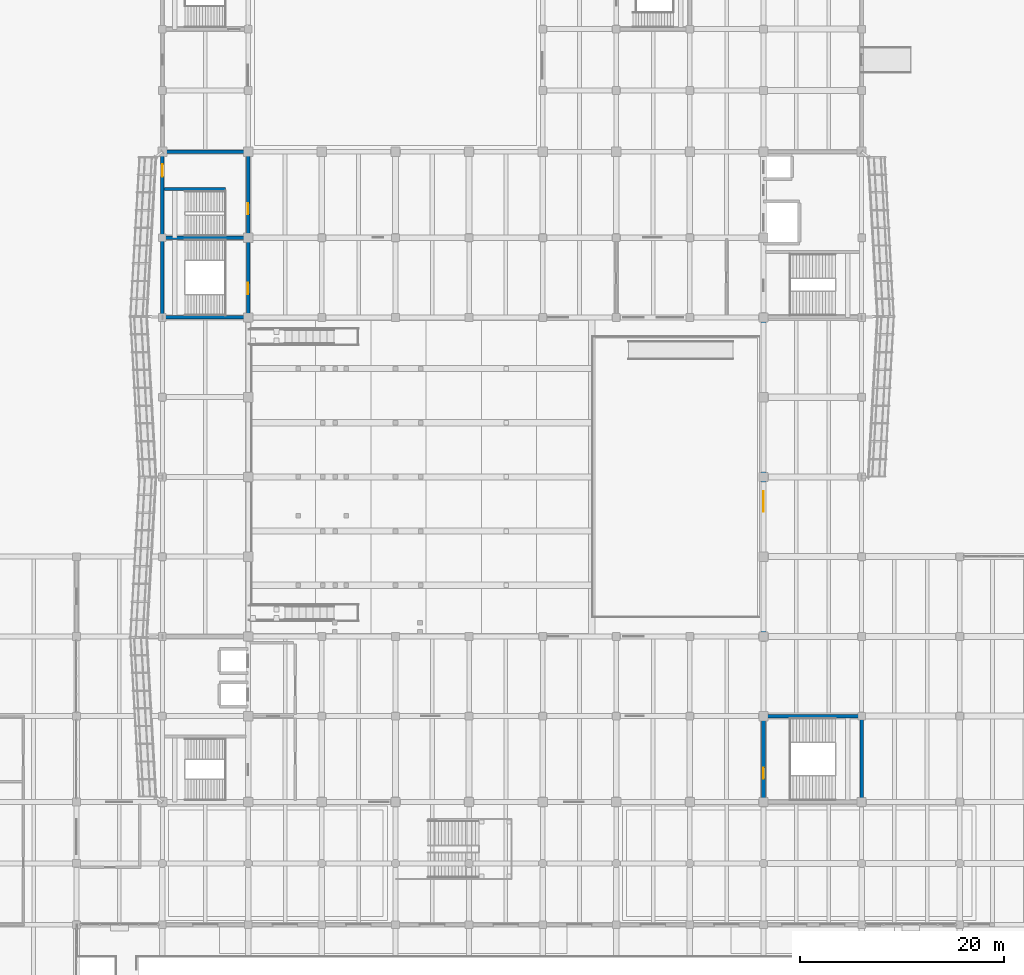
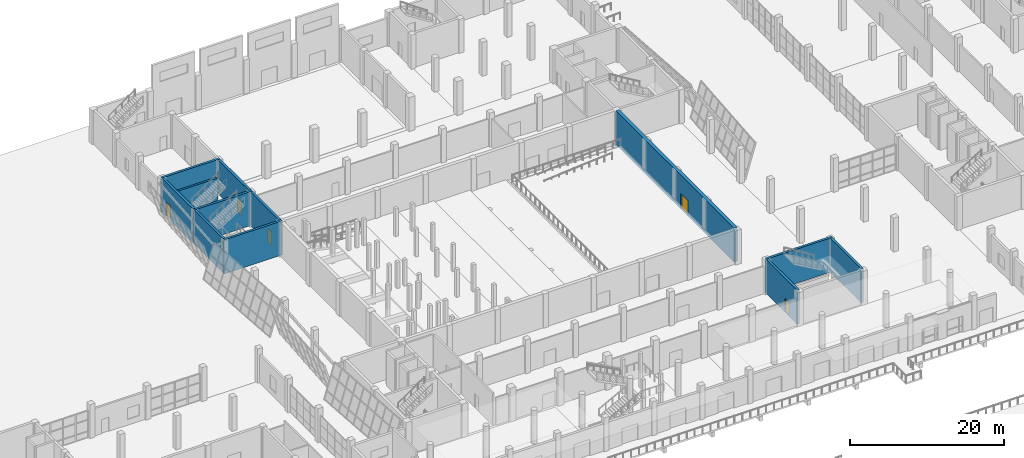
# One storey, part 63 of 78: 12 walls, 5 doors, 5 openings.
"""IFC4 building model written with IfcOpenShell, lengths in metres."""

from ifc_helpers import new_model, si_unit, direction, frame, frame_2d, origin, place, context, subcontext, project, spatial, rectangle, extrude, material, layer, layer_set, type_object, element, fill, save


model = new_model("IFC4")

# Units and contexts
model_context = context("Model", 3, precision=1e-05, world=origin(), true_north=direction((0.0, 1.0)))
body_context = subcontext(model_context, "Body", "Model", "MODEL_VIEW")
ifc_project = project(units=[si_unit("LENGTHUNIT", "METRE"), si_unit("AREAUNIT", "SQUARE_METRE"), si_unit("VOLUMEUNIT", "CUBIC_METRE"), si_unit("PLANEANGLEUNIT", "RADIAN"), si_unit("MASSUNIT", "GRAM", prefix="KILO")], contexts=[model_context])

# Site, building, storey
site_placement = place(None, origin())
site = spatial("IfcSite", under=ifc_project, at=site_placement, CompositionType="ELEMENT")
building_placement = place(site_placement, origin())
building = spatial("IfcBuilding", under=site, at=building_placement, Name="Pellamere Symphony Hall", CompositionType="ELEMENT")
storey_placement = place(building_placement, origin())
storey = spatial("IfcBuildingStorey", under=building, at=storey_placement, Name="L00", CompositionType="ELEMENT", Elevation=0.0)

# Walls
ifc_material_1 = material(Name="Concrete 40 MPa", Category="concrete")
ifc_layer_1 = layer(ifc_material_1, 0.35009765625, Name="Concrete 40 MPa")
ifc_layer_set_1 = layer_set([ifc_layer_1], Name="Concrete 40 MPa")
wall_type_1 = type_object("IfcWallType", Name="Structural Wall SW-03 350mm", PredefinedType="SHEAR", material=ifc_layer_set_1)
for number, where, z_axis, x_axis, name in (
    (1, (50.22509765625, 77.39990234375, 0.0), (0.0, 0.0, 1.0), (1.0, 0.0, 0.0), "Stair ST07 Enclosure Wall S (L00)"),
    (2, (50.22509765625, 85.199951171875, 0.0), (0.0, 0.0, 1.0), (1.0, 0.0, 0.0), "Stair ST07 Enclosure Wall N (L00)"),
):
    element("IfcWall", number, at=place(storey_placement, frame(where, z_axis=z_axis, x_axis=x_axis)), inside=storey, type_object=wall_type_1, Name=name, PredefinedType="SHEAR", context=body_context, shape_type="SweptSolid", body=[
        extrude(rectangle(XDim=8.75, YDim=0.35009765625, at=frame_2d((4.375, 0.0))), origin(), (0.0, 0.0, 1.0), 5.39990234375),
    ])
wall_1_placement = place(storey_placement, frame((50.39990234375, 77.574951171875, 0.0), z_axis=(0.0, 0.0, 1.0), x_axis=(0.0, 1.0, 0.0)))
element("IfcWall", 3, at=wall_1_placement, inside=storey, type_object=wall_type_1, Name="Stair ST07 Enclosure Wall W (L00)", PredefinedType="SHEAR", context=body_context, shape_type="SweptSolid", body=[
    extrude(rectangle(XDim=7.449951171875, YDim=0.35009765625, at=frame_2d((3.72509765625, 0.0))), origin(), (0.0, 0.0, 1.0), 5.39990234375),
])

# Wall, opening, door
wall_2_placement = place(storey_placement, frame((58.800048828125, 77.574951171875, 0.0), z_axis=(0.0, 0.0, 1.0), x_axis=(0.0, 1.0, 0.0)))
wall_2 = element("IfcWall", 4, at=wall_2_placement, inside=storey, type_object=wall_type_1, Name="Stair ST07 Enclosure Wall E (L00)", PredefinedType="SHEAR", context=body_context, shape_type="SweptSolid", body=[
    extrude(rectangle(XDim=7.449951171875, YDim=0.35009765625, at=frame_2d((3.72509765625, 0.0))), origin(), (0.0, 0.0, 1.0), 5.39990234375),
])
opening_1_placement = place(wall_2_placement, frame((2.10009765625, 0.0, 0.0)))
opening_1 = element("IfcOpeningElement", 5, at=opening_1_placement, cuts=wall_2, Name="Opening SD-38", PredefinedType="OPENING", context=body_context, shape_type="SweptSolid", body=[
    extrude(rectangle(XDim=1.10009765625, YDim=2.199951171875, at=frame_2d((0.550048828125, 1.10009765625))), frame((0.0, 0.18505859375, 0.0), z_axis=(0.0, -1.0, 0.0), x_axis=(1.0, 0.0, 0.0)), (0.0, 0.0, 1.0), 0.3701171875),
])
ifc_material_2 = material(Name="Fire-Rated Steel Exit Stair Door", Category="steel")
door_type_1 = type_object("IfcDoorType", Name="Interior Door ID-SD1 1100x2200", OperationType="NOTDEFINED", PredefinedType="DOOR", material=ifc_material_2)
door_1_placement = place(opening_1_placement, frame((1.10009765625, 0.0, 0.0), z_axis=(0.0, 0.0, 1.0), x_axis=(-1.0, 0.0, 0.0)))
door_1 = element("IfcDoor", 6, at=door_1_placement, inside=storey, type_object=door_type_1, Name="Exit Stair ST07 Door (L00)", OperationType="SINGLE_SWING_RIGHT", OverallHeight=2.199951171875, OverallWidth=1.10009765625, PredefinedType="DOOR", context=body_context, shape_type="SweptSolid", body=[
    extrude(rectangle(XDim=1.10009765625, YDim=2.199951171875, at=frame_2d((0.550048828125, 1.10009765625))), frame((0.0, 0.02490234375, 0.0), z_axis=(0.0, -1.0, 0.0), x_axis=(1.0, 0.0, 0.0)), (0.0, 0.0, 1.0), 0.050048828125),
])
fill(opening_1, door_1)

# Wall
wall_3_placement = place(storey_placement, frame((109.02490234375, 38.39990234375, 0.0), z_axis=(0.0, 0.0, 1.0), x_axis=(1.0, 0.0, 0.0)))
element("IfcWall", 7, at=wall_3_placement, inside=storey, type_object=wall_type_1, Name="Stair ST08 Enclosure Wall N (L00)", PredefinedType="SHEAR", context=body_context, shape_type="SweptSolid", body=[
    extrude(rectangle(XDim=9.9501953125, YDim=0.35009765625, at=frame_2d((4.97509765625, 0.0))), origin(), (0.0, 0.0, 1.0), 5.39990234375),
])

# Wall, opening, door
wall_4_placement = place(storey_placement, frame((109.199951171875, 30.175048828125, 0.0), z_axis=(0.0, 0.0, 1.0), x_axis=(0.0, 1.0, 0.0)))
wall_4 = element("IfcWall", 8, at=wall_4_placement, inside=storey, type_object=wall_type_1, Name="Stair ST08 Enclosure Wall W (L00)", PredefinedType="SHEAR", context=body_context, shape_type="SweptSolid", body=[
    extrude(rectangle(XDim=8.050048828125, YDim=0.35009765625, at=frame_2d((4.02490234375, 0.0))), origin(), (0.0, 0.0, 1.0), 5.39990234375),
])
opening_2_placement = place(wall_4_placement, frame((2.10009765625, 0.0, 0.0)))
opening_2 = element("IfcOpeningElement", 9, at=opening_2_placement, cuts=wall_4, Name="Opening SD-44", PredefinedType="OPENING", context=body_context, shape_type="SweptSolid", body=[
    extrude(rectangle(XDim=1.10009765625, YDim=2.199951171875, at=frame_2d((0.550048828125, 1.10009765625))), frame((0.0, 0.18505859375, 0.0), z_axis=(0.0, -1.0, 0.0), x_axis=(1.0, 0.0, 0.0)), (0.0, 0.0, 1.0), 0.3701171875),
])
door_2_placement = place(opening_2_placement, origin())
door_2 = element("IfcDoor", 10, at=door_2_placement, inside=storey, type_object=door_type_1, Name="Exit Stair ST08 Door (L00)", OperationType="SINGLE_SWING_RIGHT", OverallHeight=2.199951171875, OverallWidth=1.10009765625, PredefinedType="DOOR", context=body_context, shape_type="SweptSolid", body=[
    extrude(rectangle(XDim=1.10009765625, YDim=2.199951171875, at=frame_2d((0.550048828125, 1.10009765625))), frame((0.0, 0.02490234375, 0.0), z_axis=(0.0, -1.0, 0.0), x_axis=(1.0, 0.0, 0.0)), (0.0, 0.0, 1.0), 0.050048828125),
])
fill(opening_2, door_2)

# Walls
wall_5_placement = place(storey_placement, frame((118.800048828125, 30.175048828125, 0.0), z_axis=(0.0, 0.0, 1.0), x_axis=(0.0, 1.0, 0.0)))
element("IfcWall", 11, at=wall_5_placement, inside=storey, type_object=wall_type_1, Name="Stair ST08 Enclosure Wall E (L00)", PredefinedType="SHEAR", context=body_context, shape_type="SweptSolid", body=[
    extrude(rectangle(XDim=8.050048828125, YDim=0.35009765625, at=frame_2d((4.02490234375, 0.0))), origin(), (0.0, 0.0, 1.0), 5.39990234375),
])
wall_6_placement = place(storey_placement, frame((50.22509765625, 93.60009765625, 0.0), z_axis=(0.0, 0.0, 1.0), x_axis=(1.0, 0.0, 0.0)))
element("IfcWall", 12, at=wall_6_placement, inside=storey, type_object=wall_type_1, Name="Stair ST13 Enclosure Wall N (L00)", PredefinedType="SHEAR", context=body_context, shape_type="SweptSolid", body=[
    extrude(rectangle(XDim=8.75, YDim=0.35009765625, at=frame_2d((4.375, 0.0))), origin(), (0.0, 0.0, 1.0), 5.39990234375),
])

# Wall, opening, door
wall_7_placement = place(storey_placement, frame((50.39990234375, 85.375, 0.0), z_axis=(0.0, 0.0, 1.0), x_axis=(0.0, 1.0, 0.0)))
wall_7 = element("IfcWall", 13, at=wall_7_placement, inside=storey, type_object=wall_type_1, Name="Stair ST13 Enclosure Wall W (L00)", PredefinedType="SHEAR", context=body_context, shape_type="SweptSolid", body=[
    extrude(rectangle(XDim=8.050048828125, YDim=0.35009765625, at=frame_2d((4.02490234375, 0.0))), origin(), (0.0, 0.0, 1.0), 5.39990234375),
])
opening_3_placement = place(wall_7_placement, frame((5.800048828125, 0.0, 0.0)))
opening_3 = element("IfcOpeningElement", 14, at=opening_3_placement, cuts=wall_7, Name="Opening E37", PredefinedType="OPENING", context=body_context, shape_type="SweptSolid", body=[
    extrude(rectangle(XDim=1.199951171875, YDim=2.300048828125, at=frame_2d((0.60009765625, 1.14990234375))), frame((0.0, 0.18505859375, 0.0), z_axis=(0.0, -1.0, 0.0), x_axis=(1.0, 0.0, 0.0)), (0.0, 0.0, 1.0), 0.3701171875),
])
ifc_material_3 = material(Name="Thermally Broken Bronze-Anodised Aluminium Acoustic Door", Category="aluminium")
door_type_2 = type_object("IfcDoorType", Name="Exterior Door ED-04 1200x2300", OperationType="NOTDEFINED", PredefinedType="DOOR", material=ifc_material_3)
door_3_placement = place(opening_3_placement, origin())
door_3 = element("IfcDoor", 15, at=door_3_placement, inside=storey, type_object=door_type_2, Name="Stair ST13 Sculpture Court Exit", OperationType="SINGLE_SWING_LEFT", OverallHeight=2.300048828125, OverallWidth=1.199951171875, PredefinedType="DOOR", context=body_context, shape_type="SweptSolid", body=[
    extrude(rectangle(XDim=1.199951171875, YDim=2.300048828125, at=frame_2d((0.60009765625, 1.14990234375))), frame((0.0, 0.02490234375, 0.0), z_axis=(0.0, -1.0, 0.0), x_axis=(1.0, 0.0, 0.0)), (0.0, 0.0, 1.0), 0.050048828125),
])
fill(opening_3, door_3)

wall_8_placement = place(storey_placement, frame((58.800048828125, 85.375, 0.0), z_axis=(0.0, 0.0, 1.0), x_axis=(0.0, 1.0, 0.0)))
wall_8 = element("IfcWall", 16, at=wall_8_placement, inside=storey, type_object=wall_type_1, Name="Stair ST13 Enclosure Wall E (L00)", PredefinedType="SHEAR", context=body_context, shape_type="SweptSolid", body=[
    extrude(rectangle(XDim=8.050048828125, YDim=0.35009765625, at=frame_2d((4.02490234375, 0.0))), origin(), (0.0, 0.0, 1.0), 5.39990234375),
])
opening_4_placement = place(wall_8_placement, frame((2.10009765625, 0.0, 0.0)))
opening_4 = element("IfcOpeningElement", 17, at=opening_4_placement, cuts=wall_8, Name="Opening SD-59", PredefinedType="OPENING", context=body_context, shape_type="SweptSolid", body=[
    extrude(rectangle(XDim=1.10009765625, YDim=2.199951171875, at=frame_2d((0.550048828125, 1.10009765625))), frame((0.0, 0.18505859375, 0.0), z_axis=(0.0, -1.0, 0.0), x_axis=(1.0, 0.0, 0.0)), (0.0, 0.0, 1.0), 0.3701171875),
])
door_4_placement = place(opening_4_placement, frame((1.10009765625, 0.0, 0.0), z_axis=(0.0, 0.0, 1.0), x_axis=(-1.0, 0.0, 0.0)))
door_4 = element("IfcDoor", 18, at=door_4_placement, inside=storey, type_object=door_type_1, Name="Exit Stair ST13 Door (L00)", OperationType="SINGLE_SWING_LEFT", OverallHeight=2.199951171875, OverallWidth=1.10009765625, PredefinedType="DOOR", context=body_context, shape_type="SweptSolid", body=[
    extrude(rectangle(XDim=1.10009765625, YDim=2.199951171875, at=frame_2d((0.550048828125, 1.10009765625))), frame((0.0, 0.02490234375, 0.0), z_axis=(0.0, -1.0, 0.0), x_axis=(1.0, 0.0, 0.0)), (0.0, 0.0, 1.0), 0.050048828125),
])
fill(opening_4, door_4)

# Wall
ifc_layer_2 = layer(ifc_material_1, 0.300048828125, Name="Concrete 40 MPa")
ifc_layer_set_2 = layer_set([ifc_layer_2], Name="Concrete 40 MPa")
wall_type_2 = type_object("IfcWallType", Name="Structural Wall SW-04 300mm", PredefinedType="SHEAR", material=ifc_layer_set_2)
wall_9_placement = place(storey_placement, frame((50.56494140625, 89.949951171875, 0.0), z_axis=(0.0, 0.0, 1.0), x_axis=(1.0, 0.0, 0.0)))
element("IfcWall", 19, at=wall_9_placement, inside=storey, type_object=wall_type_2, Name="Stair ST13 Discharge Divider Wall (L00)", PredefinedType="SHEAR", context=body_context, shape_type="SweptSolid", body=[
    extrude(rectangle(XDim=6.010009765625, YDim=0.300048828125, at=frame_2d((3.0048828125, 0.0))), origin(), (0.0, 0.0, 1.0), 5.39990234375),
])

# Wall, opening, door
ifc_material_4 = material(Name="Architectural warm-pigmented concrete 40 MPa", Category="concrete")
ifc_layer_3 = layer(ifc_material_4, 0.5, Name="Architectural warm-pigmented concrete 40 MPa")
ifc_layer_set_3 = layer_set([ifc_layer_3], Name="Architectural warm-pigmented concrete 40 MPa")
wall_type_3 = type_object("IfcWallType", Name="Structural Wall SW-05 500mm", PredefinedType="SOLIDWALL", material=ifc_layer_set_3)
wall_10_placement = place(storey_placement, frame((109.199951171875, 46.409912109375, 0.0), z_axis=(0.0, 0.0, 1.0), x_axis=(0.0, 1.0, 0.0)))
wall_10 = element("IfcWall", 20, at=wall_10_placement, inside=storey, type_object=wall_type_3, Name="Main Hall Acoustic Box Wall AW1-E (L00)", PredefinedType="SOLIDWALL", context=body_context, shape_type="SweptSolid", body=[
    extrude(rectangle(XDim=30.780029296875, YDim=0.5, at=frame_2d((15.39013671875, 0.0))), origin(), (0.0, 0.0, 1.0), 5.39990234375),
])
opening_5_placement = place(wall_10_placement, frame((12.0, 0.0, 0.0)))
opening_5 = element("IfcOpeningElement", 21, at=opening_5_placement, cuts=wall_10, Name="Opening AD-99", PredefinedType="OPENING", context=body_context, shape_type="SweptSolid", body=[
    extrude(rectangle(XDim=2.0, YDim=2.449951171875, at=frame_2d((1.0, 1.22509765625))), frame((0.0, 0.260009765625, 0.0), z_axis=(0.0, -1.0, 0.0), x_axis=(1.0, 0.0, 0.0)), (0.0, 0.0, 1.0), 0.52001953125),
])
ifc_material_5 = material(Name="STC-55 Solid White Oak Acoustic Hall Entry Door", Category="wood")
door_type_3 = type_object("IfcDoorType", Name="Interior Door ID-AD1 2000x2450", OperationType="NOTDEFINED", PredefinedType="DOOR", material=ifc_material_5)
door_5_placement = place(opening_5_placement, origin())
door_5 = element("IfcDoor", 22, at=door_5_placement, inside=storey, type_object=door_type_3, Name="Main Stage Artists Entrance Door", OperationType="DOUBLE_DOOR_SINGLE_SWING", OverallHeight=2.449951171875, OverallWidth=2.0, PredefinedType="DOOR", context=body_context, shape_type="SweptSolid", body=[
    extrude(rectangle(XDim=2.0, YDim=2.449951171875, at=frame_2d((1.0, 1.22509765625))), frame((0.0, 0.02490234375, 0.0), z_axis=(0.0, -1.0, 0.0), x_axis=(1.0, 0.0, 0.0)), (0.0, 0.0, 1.0), 0.050048828125),
])
fill(opening_5, door_5)

save(model, "model.ifc")
